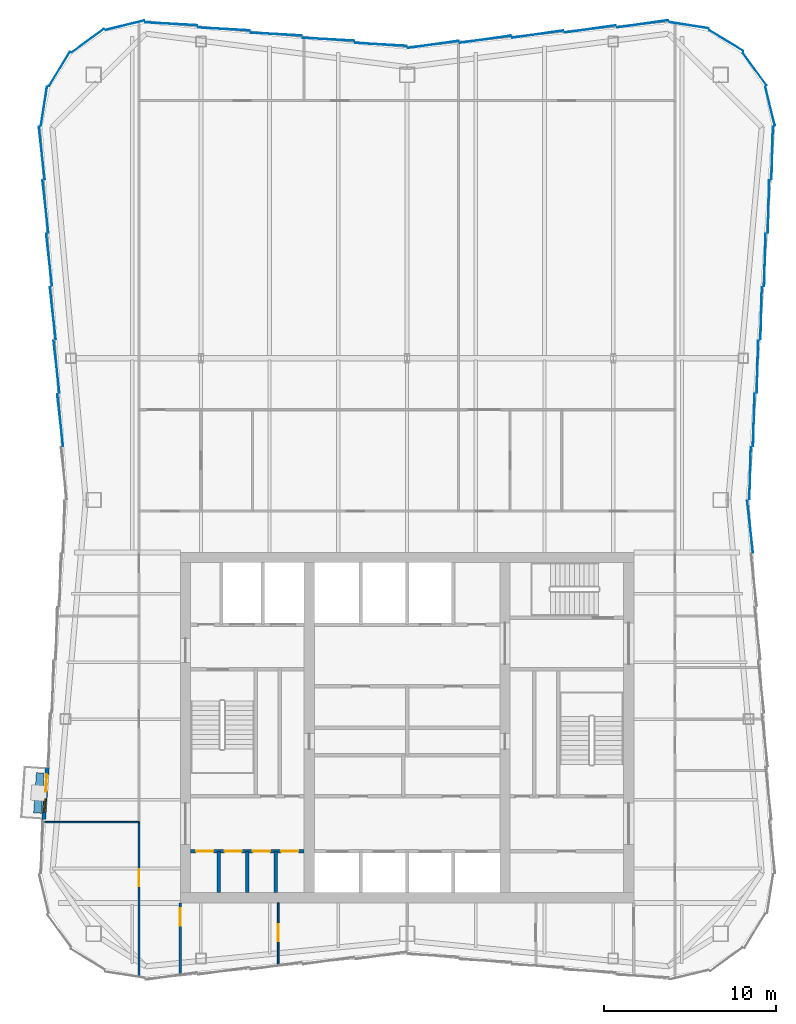
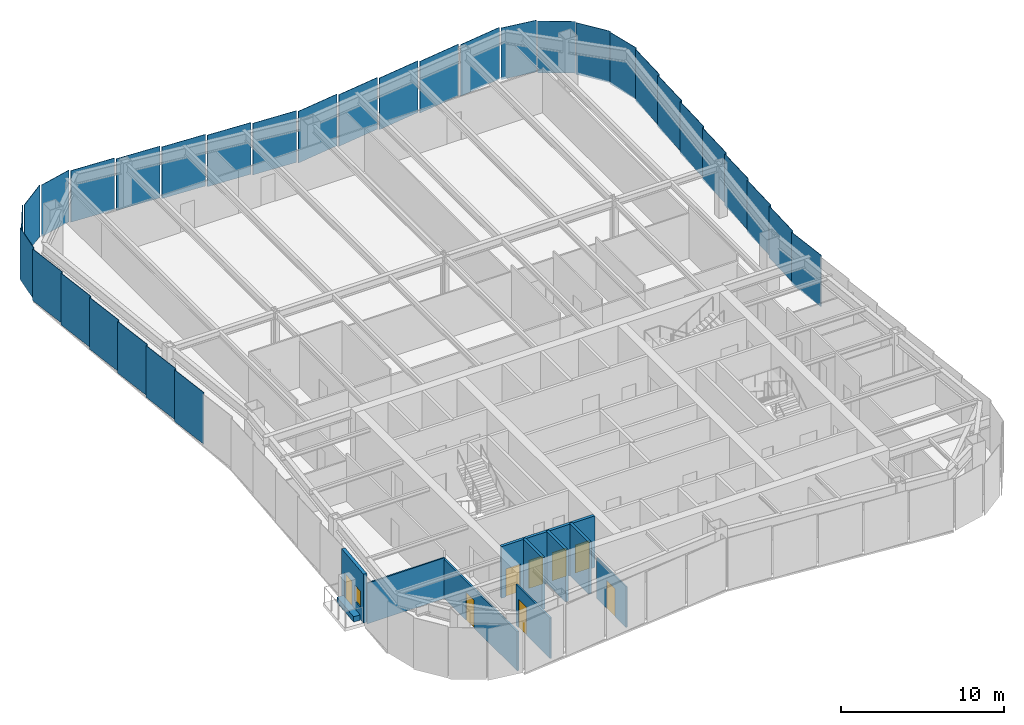
# One storey, part 5 of 10: 32 plates, 10 walls, 8 doors, 1 window, 9 openings, 5 elements without a shape of their own.
"""IFC4 building model written with IfcOpenShell, lengths in metres."""

from ifc_helpers import new_model, si_unit, direction, frame, frame_2d, origin, origin_2d, place, context, subcontext, project, spatial, rectangle, extrude, material, layer, layer_set, type_object, element, fill, aggregate, save


model = new_model("IFC4")

# Units and contexts
model_context = context("Model", 3, precision=1e-05, world=origin(), true_north=direction((0.0, 1.0)))
body_context = subcontext(model_context, "Body", "Model", "MODEL_VIEW")
ifc_project = project(units=[si_unit("LENGTHUNIT", "METRE"), si_unit("AREAUNIT", "SQUARE_METRE"), si_unit("VOLUMEUNIT", "CUBIC_METRE"), si_unit("PLANEANGLEUNIT", "RADIAN"), si_unit("MASSUNIT", "GRAM", prefix="KILO")], contexts=[model_context])

# Site, building, storey
site_placement = place(None, origin())
site = spatial("IfcSite", under=ifc_project, at=site_placement, CompositionType="ELEMENT")
building_placement = place(site_placement, origin())
building = spatial("IfcBuilding", under=site, at=building_placement, Name="Verdant Reach Tower", CompositionType="ELEMENT")
storey_placement = place(building_placement, frame((0.0, 0.0, 302.0)))
storey = spatial("IfcBuildingStorey", under=building, at=storey_placement, Name="L69", CompositionType="ELEMENT", Elevation=302.0)

# Curtain wall, plates
ifc_material_1 = material(Name="Anodised aluminium", Category="aluminium")
curtain_wall_type = type_object("IfcCurtainWallType", Name="EN-CW SYSTEM Z5", PredefinedType="NOTDEFINED", material=ifc_material_1)
curtain_wall_1_placement = place(storey_placement, origin())
curtain_wall_1 = element("IfcCurtainWall", 1, at=curtain_wall_1_placement, inside=storey, type_object=curtain_wall_type, Name="Curtain wall east, L69", PredefinedType="NOTDEFINED")
ifc_material_2 = material(Name="Tinted glass with champagne spandrel", Category="glass")
ifc_layer_1 = layer(ifc_material_2, 0.031982421875)
ifc_layer_set_1 = layer_set([ifc_layer_1], Name="EN-PANEL CHAMPAGNE")
plate_type_1 = type_object("IfcPlateType", Name="EN-PANEL CHAMPAGNE", PredefinedType="CURTAIN_PANEL", material=ifc_layer_set_1)
plate_1_placement = place(storey_placement, frame((19.971923828125, 39.700439453125, -0.219970703125), z_axis=(0.0, 0.0, 1.0), x_axis=(-0.110605344993, 0.993864406073, 0.0)))
plate_1 = element("IfcPlate", 2, at=plate_1_placement, type_object=plate_type_1, Name="Glass panel east face part 1 7.1, L69", PredefinedType="CURTAIN_PANEL", context=body_context, shape_type="SweptSolid", body=[
    extrude(rectangle(XDim=3.04052734375, YDim=0.031982421875, at=origin_2d()), origin(), (0.0, 0.0, 1.0), 3.8701171875),
])
plate_2_placement = place(storey_placement, frame((19.971923828125, 42.799560546875, -0.219970703125), z_axis=(0.0, 0.0, 1.0), x_axis=(0.027053006415, 0.999634000444, 0.0)))
plate_2 = element("IfcPlate", 3, at=plate_2_placement, type_object=plate_type_1, Name="Glass panel east face part 2 1.1, L69", PredefinedType="CURTAIN_PANEL", context=body_context, shape_type="SweptSolid", body=[
    extrude(rectangle(XDim=3.04052734375, YDim=0.031982421875, at=origin_2d()), origin(), (0.0, 0.0, 1.0), 3.8701171875),
])
plate_3_placement = place(storey_placement, frame((20.18603515625, 45.90283203125, -0.219970703125), z_axis=(0.0, 0.0, 1.0), x_axis=(0.026965318308, 0.999636369691, 0.0)))
plate_3 = element("IfcPlate", 4, at=plate_3_placement, type_object=plate_type_1, Name="Glass panel east face part 2 2.1, L69", PredefinedType="CURTAIN_PANEL", context=body_context, shape_type="SweptSolid", body=[
    extrude(rectangle(XDim=3.048583984375, YDim=0.031982421875, at=origin_2d()), origin(), (0.0, 0.0, 1.0), 3.8701171875),
])
plate_4_placement = place(storey_placement, frame((20.400390625, 49.010009765625, -0.219970703125), z_axis=(0.0, 0.0, 1.0), x_axis=(0.026965318308, 0.999636369691, 0.0)))
plate_4 = element("IfcPlate", 5, at=plate_4_placement, type_object=plate_type_1, Name="Glass panel east face part 2 3.1, L69", PredefinedType="CURTAIN_PANEL", context=body_context, shape_type="SweptSolid", body=[
    extrude(rectangle(XDim=3.048583984375, YDim=0.031982421875, at=origin_2d()), origin(), (0.0, 0.0, 1.0), 3.8701171875),
])

# Curtain wall, plate
curtain_wall_2_placement = place(storey_placement, origin())
curtain_wall_2 = element("IfcCurtainWall", 6, at=curtain_wall_2_placement, inside=storey, type_object=curtain_wall_type, Name="Curtain wall north-east corner, L69", PredefinedType="NOTDEFINED")
plate_5_placement = place(storey_placement, frame((21.132080078125, 64.173828125, -0.219970703125), z_axis=(0.0, 0.0, 1.0), x_axis=(-0.236471447122, 0.971638438256, 0.0)))
plate_5 = element("IfcPlate", 7, at=plate_5_placement, type_object=plate_type_1, Name="Glass panel north-east corner 1.1, L69", PredefinedType="CURTAIN_PANEL", context=body_context, shape_type="SweptSolid", body=[
    extrude(rectangle(XDim=2.312744140625, YDim=0.031982421875, at=origin_2d()), origin(), (0.0, 0.0, 1.0), 3.8701171875),
])

curtain_wall_3_placement = place(storey_placement, origin())
curtain_wall_3 = element("IfcCurtainWall", 8, at=curtain_wall_3_placement, inside=storey, type_object=curtain_wall_type, Name="Curtain wall north, L69", PredefinedType="NOTDEFINED")
plate_6_placement = place(storey_placement, frame((-1.519287109375, 67.7646484375, -0.219970703125), z_axis=(0.0, 0.0, 1.0), x_axis=(-0.998413420442, 0.05630845301, 0.0)))
plate_6 = element("IfcPlate", 9, at=plate_6_placement, type_object=plate_type_1, Name="Glass panel north face part 2 1.1, L69", PredefinedType="CURTAIN_PANEL", context=body_context, shape_type="SweptSolid", body=[
    extrude(rectangle(XDim=2.987548828125, YDim=0.031982421875, at=origin_2d()), origin(), (0.0, 0.0, 1.0), 3.8701171875),
])

# Curtain wall, plates
curtain_wall_4_placement = place(storey_placement, origin())
curtain_wall_4 = element("IfcCurtainWall", 10, at=curtain_wall_4_placement, inside=storey, type_object=curtain_wall_type, Name="Curtain wall west, L69", PredefinedType="NOTDEFINED")
plate_7_placement = place(storey_placement, frame((-20.61474609375, 52.1171875, -0.219970703125), z_axis=(0.0, 0.0, 1.0), x_axis=(0.110518162674, -0.993874104562, 0.0)))
plate_7 = element("IfcPlate", 11, at=plate_7_placement, type_object=plate_type_1, Name="Glass panel west face part 1 4.1, L69", PredefinedType="CURTAIN_PANEL", context=body_context, shape_type="SweptSolid", body=[
    extrude(rectangle(XDim=3.048583984375, YDim=0.031982421875, at=origin_2d()), origin(), (0.0, 0.0, 1.0), 3.8701171875),
])
plate_8_placement = place(storey_placement, frame((-20.400390625, 49.010009765625, -0.219970703125), z_axis=(0.0, 0.0, 1.0), x_axis=(0.110518162674, -0.993874104562, 0.0)))
plate_8 = element("IfcPlate", 12, at=plate_8_placement, type_object=plate_type_1, Name="Glass panel west face part 1 5.1, L69", PredefinedType="CURTAIN_PANEL", context=body_context, shape_type="SweptSolid", body=[
    extrude(rectangle(XDim=3.048583984375, YDim=0.031982421875, at=origin_2d()), origin(), (0.0, 0.0, 1.0), 3.8701171875),
])

# Plate
ifc_material_3 = material(Name="Tinted glass with copper spandrel", Category="glass")
ifc_layer_2 = layer(ifc_material_3, 0.031982421875)
ifc_layer_set_2 = layer_set([ifc_layer_2], Name="EN-PANEL COPPER")
plate_type_2 = type_object("IfcPlateType", Name="EN-PANEL COPPER", PredefinedType="CURTAIN_PANEL", material=ifc_layer_set_2)
plate_9_placement = place(storey_placement, frame((20.61474609375, 52.1171875, -0.219970703125), z_axis=(0.0, 0.0, 1.0), x_axis=(0.026965318308, 0.999636369691, 0.0)))
plate_9 = element("IfcPlate", 13, at=plate_9_placement, type_object=plate_type_2, Name="Glass panel east face part 2 4.1, L69", PredefinedType="CURTAIN_PANEL", context=body_context, shape_type="SweptSolid", body=[
    extrude(rectangle(XDim=3.048583984375, YDim=0.031982421875, at=origin_2d()), origin(), (0.0, 0.0, 1.0), 3.8701171875),
])

plate_10_placement = place(storey_placement, frame((20.8291015625, 55.22412109375, -0.219970703125), z_axis=(0.0, 0.0, 1.0), x_axis=(0.026965318308, 0.999636369691, 0.0)))
plate_10 = element("IfcPlate", 14, at=plate_10_placement, type_object=plate_type_2, Name="Glass panel east face part 2 5.1, L69", PredefinedType="CURTAIN_PANEL", context=body_context, shape_type="SweptSolid", body=[
    extrude(rectangle(XDim=3.048583984375, YDim=0.031982421875, at=origin_2d()), origin(), (0.0, 0.0, 1.0), 3.8701171875),
])

plate_11_placement = place(storey_placement, frame((20.23681640625, 66.33203125, -0.219970703125), z_axis=(0.0, 0.0, 1.0), x_axis=(-0.58992672698, 0.807456783236, 0.0)))
plate_11 = element("IfcPlate", 15, at=plate_11_placement, type_object=plate_type_2, Name="Glass panel north-east corner 2.1, L69", PredefinedType="CURTAIN_PANEL", context=body_context, shape_type="SweptSolid", body=[
    extrude(rectangle(XDim=2.320068359375, YDim=0.031982421875, at=origin_2d()), origin(), (0.0, 0.0, 1.0), 3.8701171875),
])

plate_12_placement = place(storey_placement, frame((18.58203125, 67.98681640625, -0.219970703125), z_axis=(0.0, 0.0, 1.0), x_axis=(-0.853988714885, 0.520291528711, 0.0)))
plate_12 = element("IfcPlate", 16, at=plate_12_placement, type_object=plate_type_2, Name="Glass panel north-east corner 3.1, L69", PredefinedType="CURTAIN_PANEL", context=body_context, shape_type="SweptSolid", body=[
    extrude(rectangle(XDim=2.320068359375, YDim=0.031982421875, at=origin_2d()), origin(), (0.0, 0.0, 1.0), 3.8701171875),
])

plate_13_placement = place(storey_placement, frame((16.4228515625, 68.88232421875, -0.219970703125), z_axis=(0.0, 0.0, 1.0), x_axis=(-0.988033409454, 0.154240013621, 0.0)))
plate_13 = element("IfcPlate", 17, at=plate_13_placement, type_object=plate_type_2, Name="Glass panel north-east corner 4.1, L69", PredefinedType="CURTAIN_PANEL", context=body_context, shape_type="SweptSolid", body=[
    extrude(rectangle(XDim=2.314453125, YDim=0.031982421875, at=origin_2d()), origin(), (0.0, 0.0, 1.0), 3.8701171875),
])

aggregate(curtain_wall_2, [plate_5, plate_11, plate_12, plate_13])

plate_14_placement = place(storey_placement, frame((13.72216796875, 68.964599609375, -0.219970703125), z_axis=(0.0, 0.0, 1.0), x_axis=(-0.990281521639, -0.139077345032, 0.0)))
plate_14 = element("IfcPlate", 18, at=plate_14_placement, type_object=plate_type_2, Name="Glass panel north face part 1 1.1, L69", PredefinedType="CURTAIN_PANEL", context=body_context, shape_type="SweptSolid", body=[
    extrude(rectangle(XDim=3.015625, YDim=0.031982421875, at=origin_2d()), origin(), (0.0, 0.0, 1.0), 3.8701171875),
])

plate_15_placement = place(storey_placement, frame((10.663818359375, 68.66455078125, -0.219970703125), z_axis=(0.0, 0.0, 1.0), x_axis=(-0.990225318365, -0.139476947446, 0.0)))
plate_15 = element("IfcPlate", 19, at=plate_15_placement, type_object=plate_type_2, Name="Glass panel north face part 1 2.1, L69", PredefinedType="CURTAIN_PANEL", context=body_context, shape_type="SweptSolid", body=[
    extrude(rectangle(XDim=2.998779296875, YDim=0.031982421875, at=origin_2d()), origin(), (0.0, 0.0, 1.0), 3.8701171875),
])

plate_16_placement = place(storey_placement, frame((-4.563720703125, 68.064453125, -0.219970703125), z_axis=(0.0, 0.0, 1.0), x_axis=(-0.998423588956, 0.056127863106, 0.0)))
plate_16 = element("IfcPlate", 20, at=plate_16_placement, type_object=plate_type_2, Name="Glass panel north face part 2 2.1, L69", PredefinedType="CURTAIN_PANEL", context=body_context, shape_type="SweptSolid", body=[
    extrude(rectangle(XDim=2.998779296875, YDim=0.031982421875, at=origin_2d()), origin(), (0.0, 0.0, 1.0), 3.8701171875),
])

plate_17_placement = place(storey_placement, frame((-7.61376953125, 68.364501953125, -0.219970703125), z_axis=(0.0, 0.0, 1.0), x_axis=(-0.998423588956, 0.056127863106, 0.0)))
plate_17 = element("IfcPlate", 21, at=plate_17_placement, type_object=plate_type_2, Name="Glass panel north face part 2 3.1, L69", PredefinedType="CURTAIN_PANEL", context=body_context, shape_type="SweptSolid", body=[
    extrude(rectangle(XDim=2.998779296875, YDim=0.031982421875, at=origin_2d()), origin(), (0.0, 0.0, 1.0), 3.8701171875),
])

plate_18_placement = place(storey_placement, frame((-10.663818359375, 68.66455078125, -0.219970703125), z_axis=(0.0, 0.0, 1.0), x_axis=(-0.998423588956, 0.056127863106, 0.0)))
plate_18 = element("IfcPlate", 22, at=plate_18_placement, type_object=plate_type_2, Name="Glass panel north face part 2 4.1, L69", PredefinedType="CURTAIN_PANEL", context=body_context, shape_type="SweptSolid", body=[
    extrude(rectangle(XDim=2.998779296875, YDim=0.031982421875, at=origin_2d()), origin(), (0.0, 0.0, 1.0), 3.8701171875),
])

# Curtain wall, plates
curtain_wall_5_placement = place(storey_placement, origin())
curtain_wall_5 = element("IfcCurtainWall", 23, at=curtain_wall_5_placement, inside=storey, type_object=curtain_wall_type, Name="Curtain wall north-west corner, L69", PredefinedType="NOTDEFINED")
plate_19_placement = place(storey_placement, frame((-16.4228515625, 68.88232421875, -0.219970703125), z_axis=(0.0, 0.0, 1.0), x_axis=(-0.971661765526, -0.236375577028, 0.0)))
plate_19 = element("IfcPlate", 24, at=plate_19_placement, type_object=plate_type_2, Name="Glass panel north-west corner 1.1, L69", PredefinedType="CURTAIN_PANEL", context=body_context, shape_type="SweptSolid", body=[
    extrude(rectangle(XDim=2.314453125, YDim=0.031982421875, at=origin_2d()), origin(), (0.0, 0.0, 1.0), 3.8701171875),
])
plate_20_placement = place(storey_placement, frame((-18.58203125, 67.98681640625, -0.219970703125), z_axis=(0.0, 0.0, 1.0), x_axis=(-0.807456783236, -0.58992672698, 0.0)))
plate_20 = element("IfcPlate", 25, at=plate_20_placement, type_object=plate_type_2, Name="Glass panel north-west corner 2.1, L69", PredefinedType="CURTAIN_PANEL", context=body_context, shape_type="SweptSolid", body=[
    extrude(rectangle(XDim=2.320068359375, YDim=0.031982421875, at=origin_2d()), origin(), (0.0, 0.0, 1.0), 3.8701171875),
])

# Plate
plate_21_placement = place(storey_placement, frame((-20.18603515625, 45.90283203125, -0.219970703125), z_axis=(0.0, 0.0, 1.0), x_axis=(0.110518162674, -0.993874104562, 0.0)))
plate_21 = element("IfcPlate", 26, at=plate_21_placement, type_object=plate_type_2, Name="Glass panel west face part 1 6.1, L69", PredefinedType="CURTAIN_PANEL", context=body_context, shape_type="SweptSolid", body=[
    extrude(rectangle(XDim=3.048583984375, YDim=0.031982421875, at=origin_2d()), origin(), (0.0, 0.0, 1.0), 3.8701171875),
])

ifc_material_4 = material(Name="Tinted glass with dark bronze spandrel", Category="glass")
ifc_layer_3 = layer(ifc_material_4, 0.031982421875)
ifc_layer_set_3 = layer_set([ifc_layer_3], Name="EN-PANEL DARK")
plate_type_3 = type_object("IfcPlateType", Name="EN-PANEL DARK", PredefinedType="CURTAIN_PANEL", material=ifc_layer_set_3)
plate_22_placement = place(storey_placement, frame((21.043212890625, 58.331298828125, -0.219970703125), z_axis=(0.0, 0.0, 1.0), x_axis=(0.026965318308, 0.999636369691, 0.0)))
plate_22 = element("IfcPlate", 27, at=plate_22_placement, type_object=plate_type_3, Name="Glass panel east face part 2 6.1, L69", PredefinedType="CURTAIN_PANEL", context=body_context, shape_type="SweptSolid", body=[
    extrude(rectangle(XDim=3.048583984375, YDim=0.031982421875, at=origin_2d()), origin(), (0.0, 0.0, 1.0), 3.8701171875),
])

plate_23_placement = place(storey_placement, frame((21.257568359375, 61.446044921875, -0.219970703125), z_axis=(0.0, 0.0, 1.0), x_axis=(0.026642881595, 0.999645015423, 0.0)))
plate_23 = element("IfcPlate", 28, at=plate_23_placement, type_object=plate_type_3, Name="Glass panel east face part 2 7.1, L69", PredefinedType="CURTAIN_PANEL", context=body_context, shape_type="SweptSolid", body=[
    extrude(rectangle(XDim=3.063720703125, YDim=0.031982421875, at=origin_2d()), origin(), (0.0, 0.0, 1.0), 3.8701171875),
])

aggregate(curtain_wall_1, [plate_1, plate_2, plate_3, plate_4, plate_9, plate_10, plate_22, plate_23])

plate_24_placement = place(storey_placement, frame((7.61376953125, 68.364501953125, -0.219970703125), z_axis=(0.0, 0.0, 1.0), x_axis=(-0.990225318365, -0.139476947446, 0.0)))
plate_24 = element("IfcPlate", 29, at=plate_24_placement, type_object=plate_type_3, Name="Glass panel north face part 1 3.1, L69", PredefinedType="CURTAIN_PANEL", context=body_context, shape_type="SweptSolid", body=[
    extrude(rectangle(XDim=2.998779296875, YDim=0.031982421875, at=origin_2d()), origin(), (0.0, 0.0, 1.0), 3.8701171875),
])

plate_25_placement = place(storey_placement, frame((4.563720703125, 68.064453125, -0.219970703125), z_axis=(0.0, 0.0, 1.0), x_axis=(-0.990225318365, -0.139476947446, 0.0)))
plate_25 = element("IfcPlate", 30, at=plate_25_placement, type_object=plate_type_3, Name="Glass panel north face part 1 4.1, L69", PredefinedType="CURTAIN_PANEL", context=body_context, shape_type="SweptSolid", body=[
    extrude(rectangle(XDim=2.998779296875, YDim=0.031982421875, at=origin_2d()), origin(), (0.0, 0.0, 1.0), 3.8701171875),
])

plate_26_placement = place(storey_placement, frame((1.519287109375, 67.7646484375, -0.219970703125), z_axis=(0.0, 0.0, 1.0), x_axis=(-0.990200074141, -0.139656053116, 0.0)))
plate_26 = element("IfcPlate", 31, at=plate_26_placement, type_object=plate_type_3, Name="Glass panel north face part 1 5.1, L69", PredefinedType="CURTAIN_PANEL", context=body_context, shape_type="SweptSolid", body=[
    extrude(rectangle(XDim=2.987548828125, YDim=0.031982421875, at=origin_2d()), origin(), (0.0, 0.0, 1.0), 3.8701171875),
])

plate_27_placement = place(storey_placement, frame((-13.72216796875, 68.964599609375, -0.219970703125), z_axis=(0.0, 0.0, 1.0), x_axis=(-0.998446157248, 0.055724959185, 0.0)))
plate_27 = element("IfcPlate", 32, at=plate_27_placement, type_object=plate_type_3, Name="Glass panel north face part 2 5.1, L69", PredefinedType="CURTAIN_PANEL", context=body_context, shape_type="SweptSolid", body=[
    extrude(rectangle(XDim=3.015625, YDim=0.031982421875, at=origin_2d()), origin(), (0.0, 0.0, 1.0), 3.8701171875),
])

aggregate(curtain_wall_3, [plate_14, plate_15, plate_24, plate_25, plate_26, plate_6, plate_16, plate_17, plate_18, plate_27])

plate_28_placement = place(storey_placement, frame((-20.23681640625, 66.33203125, -0.219970703125), z_axis=(0.0, 0.0, 1.0), x_axis=(-0.520291528711, -0.853988714885, 0.0)))
plate_28 = element("IfcPlate", 33, at=plate_28_placement, type_object=plate_type_3, Name="Glass panel north-west corner 3.1, L69", PredefinedType="CURTAIN_PANEL", context=body_context, shape_type="SweptSolid", body=[
    extrude(rectangle(XDim=2.320068359375, YDim=0.031982421875, at=origin_2d()), origin(), (0.0, 0.0, 1.0), 3.8701171875),
])

plate_29_placement = place(storey_placement, frame((-21.132080078125, 64.173828125, -0.219970703125), z_axis=(0.0, 0.0, 1.0), x_axis=(-0.154337499461, -0.988018186199, 0.0)))
plate_29 = element("IfcPlate", 34, at=plate_29_placement, type_object=plate_type_3, Name="Glass panel north-west corner 4.1, L69", PredefinedType="CURTAIN_PANEL", context=body_context, shape_type="SweptSolid", body=[
    extrude(rectangle(XDim=2.312744140625, YDim=0.031982421875, at=origin_2d()), origin(), (0.0, 0.0, 1.0), 3.8701171875),
])

aggregate(curtain_wall_5, [plate_19, plate_20, plate_28, plate_29])

plate_30_placement = place(storey_placement, frame((-21.257568359375, 61.446044921875, -0.219970703125), z_axis=(0.0, 0.0, 1.0), x_axis=(0.110197580247, -0.993909700782, 0.0)))
plate_30 = element("IfcPlate", 35, at=plate_30_placement, type_object=plate_type_3, Name="Glass panel west face part 1 1.1, L69", PredefinedType="CURTAIN_PANEL", context=body_context, shape_type="SweptSolid", body=[
    extrude(rectangle(XDim=3.063720703125, YDim=0.031982421875, at=origin_2d()), origin(), (0.0, 0.0, 1.0), 3.8701171875),
])

plate_31_placement = place(storey_placement, frame((-21.043212890625, 58.331298828125, -0.219970703125), z_axis=(0.0, 0.0, 1.0), x_axis=(0.110518162674, -0.993874104562, 0.0)))
plate_31 = element("IfcPlate", 36, at=plate_31_placement, type_object=plate_type_3, Name="Glass panel west face part 1 2.1, L69", PredefinedType="CURTAIN_PANEL", context=body_context, shape_type="SweptSolid", body=[
    extrude(rectangle(XDim=3.048583984375, YDim=0.031982421875, at=origin_2d()), origin(), (0.0, 0.0, 1.0), 3.8701171875),
])

plate_32_placement = place(storey_placement, frame((-20.8291015625, 55.22412109375, -0.219970703125), z_axis=(0.0, 0.0, 1.0), x_axis=(0.110518162674, -0.993874104562, 0.0)))
plate_32 = element("IfcPlate", 37, at=plate_32_placement, type_object=plate_type_3, Name="Glass panel west face part 1 3.1, L69", PredefinedType="CURTAIN_PANEL", context=body_context, shape_type="SweptSolid", body=[
    extrude(rectangle(XDim=3.048583984375, YDim=0.031982421875, at=origin_2d()), origin(), (0.0, 0.0, 1.0), 3.8701171875),
])

aggregate(curtain_wall_4, [plate_30, plate_31, plate_32, plate_7, plate_8, plate_21])

# Wall, openings, doors
ifc_material_5 = material(Name="Gypsum board on steel studs", Category="steel")
ifc_layer_4 = layer(ifc_material_5, 0.199951171875)
ifc_layer_set_4 = layer_set([ifc_layer_4], Name="CO-WALL-ROOM")
wall_type_1 = type_object("IfcWallType", Name="CO-WALL-ROOM", PredefinedType="PARTITIONING", material=ifc_layer_set_4)
wall_1_placement = place(storey_placement, frame((-12.60009765625, 20.800048828125, 0.0), z_axis=(0.0, 0.0, 1.0), x_axis=(1.0, 0.0, 0.0)))
wall_1 = element("IfcWall", 38, at=wall_1_placement, inside=storey, type_object=wall_type_1, Name="Core partition, L69", PredefinedType="PARTITIONING", context=body_context, shape_type="SweptSolid", body=[
    extrude(rectangle(XDim=6.60009765625, YDim=0.199951171875, at=frame_2d((3.300048828125, 0.0))), origin(), (0.0, 0.0, 1.0), 3.8701171875),
])
opening_1_placement = place(wall_1_placement, frame((0.324951171875, 0.0, 0.0)))
opening_1 = element("IfcOpeningElement", 39, at=opening_1_placement, cuts=wall_1, Name="Opening CD", PredefinedType="OPENING", context=body_context, shape_type="SweptSolid", body=[
    extrude(rectangle(XDim=1.0, YDim=2.10009765625, at=frame_2d((0.5, 1.050048828125))), frame((0.0, 0.10986328125, 0.0), z_axis=(0.0, -1.0, 0.0), x_axis=(1.0, 0.0, 0.0)), (0.0, 0.0, 1.0), 0.219970703125),
])
opening_2_placement = place(wall_1_placement, frame((1.97509765625, 0.0, 0.0)))
opening_2 = element("IfcOpeningElement", 40, at=opening_2_placement, cuts=wall_1, Name="Opening CD", PredefinedType="OPENING", context=body_context, shape_type="SweptSolid", body=[
    extrude(rectangle(XDim=1.0, YDim=2.10009765625, at=frame_2d((0.5, 1.050048828125))), frame((0.0, 0.10986328125, 0.0), z_axis=(0.0, -1.0, 0.0), x_axis=(1.0, 0.0, 0.0)), (0.0, 0.0, 1.0), 0.219970703125),
])
opening_3_placement = place(wall_1_placement, frame((3.625, 0.0, 0.0)))
opening_3 = element("IfcOpeningElement", 41, at=opening_3_placement, cuts=wall_1, Name="Opening CD", PredefinedType="OPENING", context=body_context, shape_type="SweptSolid", body=[
    extrude(rectangle(XDim=1.0, YDim=2.10009765625, at=frame_2d((0.5, 1.050048828125))), frame((0.0, 0.10986328125, 0.0), z_axis=(0.0, -1.0, 0.0), x_axis=(1.0, 0.0, 0.0)), (0.0, 0.0, 1.0), 0.219970703125),
])
opening_4_placement = place(wall_1_placement, frame((5.27490234375, 0.0, 0.0)))
opening_4 = element("IfcOpeningElement", 42, at=opening_4_placement, cuts=wall_1, Name="Opening CD", PredefinedType="OPENING", context=body_context, shape_type="SweptSolid", body=[
    extrude(rectangle(XDim=1.0, YDim=2.10009765625, at=frame_2d((0.5, 1.050048828125))), frame((0.0, 0.10986328125, 0.0), z_axis=(0.0, -1.0, 0.0), x_axis=(1.0, 0.0, 0.0)), (0.0, 0.0, 1.0), 0.219970703125),
])
ifc_material_6 = material(Name="Timber", Category="wood")
door_type_1 = type_object("IfcDoorType", Name="CO-DOOR-ROOM", OperationType="NOTDEFINED", PredefinedType="DOOR", material=ifc_material_6)
door_1_placement = place(opening_1_placement, origin())
door_1 = element("IfcDoor", 43, at=door_1_placement, inside=storey, type_object=door_type_1, Name="Core room door, L69", OperationType="SINGLE_SWING_RIGHT", OverallHeight=2.10009765625, OverallWidth=1.0, PredefinedType="DOOR", context=body_context, shape_type="SweptSolid", body=[
    extrude(rectangle(XDim=1.0, YDim=2.10009765625, at=frame_2d((0.5, 1.050048828125))), frame((0.0, 0.02490234375, 0.0), z_axis=(0.0, -1.0, 0.0), x_axis=(1.0, 0.0, 0.0)), (0.0, 0.0, 1.0), 0.050048828125),
])
fill(opening_1, door_1)
door_2_placement = place(opening_2_placement, origin())
door_2 = element("IfcDoor", 44, at=door_2_placement, inside=storey, type_object=door_type_1, Name="Core room door, L69", OperationType="SINGLE_SWING_RIGHT", OverallHeight=2.10009765625, OverallWidth=1.0, PredefinedType="DOOR", context=body_context, shape_type="SweptSolid", body=[
    extrude(rectangle(XDim=1.0, YDim=2.10009765625, at=frame_2d((0.5, 1.050048828125))), frame((0.0, 0.02490234375, 0.0), z_axis=(0.0, -1.0, 0.0), x_axis=(1.0, 0.0, 0.0)), (0.0, 0.0, 1.0), 0.050048828125),
])
fill(opening_2, door_2)
door_3_placement = place(opening_3_placement, origin())
door_3 = element("IfcDoor", 45, at=door_3_placement, inside=storey, type_object=door_type_1, Name="Core room door, L69", OperationType="SINGLE_SWING_LEFT", OverallHeight=2.10009765625, OverallWidth=1.0, PredefinedType="DOOR", context=body_context, shape_type="SweptSolid", body=[
    extrude(rectangle(XDim=1.0, YDim=2.10009765625, at=frame_2d((0.5, 1.050048828125))), frame((0.0, 0.02490234375, 0.0), z_axis=(0.0, -1.0, 0.0), x_axis=(1.0, 0.0, 0.0)), (0.0, 0.0, 1.0), 0.050048828125),
])
fill(opening_3, door_3)
door_4_placement = place(opening_4_placement, origin())
door_4 = element("IfcDoor", 46, at=door_4_placement, inside=storey, type_object=door_type_1, Name="Core room door, L69", OperationType="SINGLE_SWING_LEFT", OverallHeight=2.10009765625, OverallWidth=1.0, PredefinedType="DOOR", context=body_context, shape_type="SweptSolid", body=[
    extrude(rectangle(XDim=1.0, YDim=2.10009765625, at=frame_2d((0.5, 1.050048828125))), frame((0.0, 0.02490234375, 0.0), z_axis=(0.0, -1.0, 0.0), x_axis=(1.0, 0.0, 0.0)), (0.0, 0.0, 1.0), 0.050048828125),
])
fill(opening_4, door_4)

# Walls
for number, where, z_axis, x_axis, name in (
    (47, (-10.949951171875, 18.39990234375, 0.0), (0.0, 0.0, 1.0), (0.0, 1.0, 0.0), "Core partition, L69"),
    (48, (-9.300048828125, 18.39990234375, 0.0), (0.0, 0.0, 1.0), (0.0, 1.0, 0.0), "Core partition, L69"),
    (49, (-7.64990234375, 18.39990234375, 0.0), (0.0, 0.0, 1.0), (0.0, 1.0, 0.0), "Core partition, L69"),
):
    element("IfcWall", number, at=place(storey_placement, frame(where, z_axis=z_axis, x_axis=x_axis)), inside=storey, type_object=wall_type_1, Name=name, PredefinedType="PARTITIONING", context=body_context, shape_type="SweptSolid", body=[
        extrude(rectangle(XDim=2.400146484375, YDim=0.199951171875, at=frame_2d((1.2001953125, 0.0))), origin(), (0.0, 0.0, 1.0), 3.8701171875),
    ])

# Wall, openings, door, window
ifc_material_7 = material(Name="Insulated bronze aluminium panel wall", Category="aluminium")
ifc_layer_5 = layer(ifc_material_7, 0.219970703125)
ifc_layer_set_5 = layer_set([ifc_layer_5], Name="EN-INFILL WALL")
wall_type_2 = type_object("IfcWallType", Name="EN-INFILL WALL", PredefinedType="SOLIDWALL", material=ifc_layer_set_5)
wall_2_placement = place(storey_placement, frame((-20.9384765625, 25.687255859375, 0.0), z_axis=(0.0, 0.0, 1.0), x_axis=(-0.068802091615, -0.997630328423, 0.0)))
wall_2 = element("IfcWall", 50, at=wall_2_placement, inside=storey, type_object=wall_type_2, Name="External infill wall, balcony bay 1, L69", PredefinedType="SOLIDWALL", context=body_context, shape_type="SweptSolid", body=[
    extrude(rectangle(XDim=3.044677734375, YDim=0.22998046875, at=frame_2d((1.5224609375, 0.0))), origin(), (0.0, 0.0, 1.0), 3.64990234375),
])
opening_5_placement = place(wall_2_placement, frame((0.414794921875, 0.0, 0.0)))
opening_5 = element("IfcOpeningElement", 51, at=opening_5_placement, cuts=wall_2, Name="Opening BD1", PredefinedType="OPENING", context=body_context, shape_type="SweptSolid", body=[
    extrude(rectangle(XDim=1.0, YDim=2.10009765625, at=frame_2d((0.5, 1.050048828125))), frame((0.0, 0.125, 0.0), z_axis=(0.0, -1.0, 0.0), x_axis=(1.0, 0.0, 0.0)), (0.0, 0.0, 1.0), 0.25),
])
opening_6_placement = place(wall_2_placement, frame((1.82958984375, 0.0, 0.89990234375)))
opening_6 = element("IfcOpeningElement", 52, at=opening_6_placement, cuts=wall_2, Name="Opening BW1", PredefinedType="OPENING", context=body_context, shape_type="SweptSolid", body=[
    extrude(rectangle(XDim=0.800048828125, YDim=1.199951171875, at=frame_2d((0.39990234375, 0.60009765625))), frame((0.0, 0.125, 0.0), z_axis=(0.0, -1.0, 0.0), x_axis=(1.0, 0.0, 0.0)), (0.0, 0.0, 1.0), 0.25),
])
ifc_material_8 = material(Name="Aluminium framed glazed door", Category="aluminium")
door_type_2 = type_object("IfcDoorType", Name="EN-DOOR BALCONY", OperationType="NOTDEFINED", PredefinedType="DOOR", material=ifc_material_8)
door_5_placement = place(opening_5_placement, origin())
door_5 = element("IfcDoor", 53, at=door_5_placement, inside=storey, type_object=door_type_2, Name="Balcony door 1, L69", OperationType="SINGLE_SWING_LEFT", OverallHeight=2.10009765625, OverallWidth=1.0, PredefinedType="DOOR", context=body_context, shape_type="SweptSolid", body=[
    extrude(rectangle(XDim=1.0, YDim=2.10009765625, at=frame_2d((0.5, 1.050048828125))), frame((0.0, 0.02490234375, 0.0), z_axis=(0.0, -1.0, 0.0), x_axis=(1.0, 0.0, 0.0)), (0.0, 0.0, 1.0), 0.050048828125),
])
fill(opening_5, door_5)
ifc_material_9 = material(Name="Aluminium framed glazing", Category="aluminium")
window_type = type_object("IfcWindowType", Name="EN-WINDOW BALCONY", PartitioningType="SINGLE_PANEL", PredefinedType="WINDOW", material=ifc_material_9)
window_placement = place(opening_6_placement, origin())
window = element("IfcWindow", 54, at=window_placement, inside=storey, type_object=window_type, Name="Balcony window 1, L69", OverallHeight=1.199951171875, OverallWidth=0.800048828125, PartitioningType="SINGLE_PANEL", PredefinedType="WINDOW", context=body_context, shape_type="SweptSolid", body=[
    extrude(rectangle(XDim=0.800048828125, YDim=1.199951171875, at=frame_2d((0.39990234375, 0.60009765625))), frame((0.0, 0.030029296875, 0.0), z_axis=(0.0, -1.0, 0.0), x_axis=(1.0, 0.0, 0.0)), (0.0, 0.0, 1.0), 0.06005859375),
])
fill(opening_6, window)

# Walls
ifc_material_10 = material(Name="Precast concrete C30/37", Category="concrete")
ifc_layer_6 = layer(ifc_material_10, 0.449951171875)
ifc_layer_set_6 = layer_set([ifc_layer_6], Name="EN-PLANTER")
wall_type_3 = type_object("IfcWallType", Name="EN-PLANTER", PredefinedType="USERDEFINED", material=ifc_layer_set_6)
wall_3_placement = place(storey_placement, frame((-21.351806640625, 25.364990234375, 0.0), z_axis=(0.0, 0.0, 1.0), x_axis=(-0.068723472833, -0.997635747295, 0.0)))
element("IfcWall", 55, at=wall_3_placement, inside=storey, type_object=wall_type_3, Name="Balcony planter 1, L69", ObjectType="PLANTER", PredefinedType="USERDEFINED", context=body_context, shape_type="SweptSolid", body=[
    extrude(rectangle(XDim=2.3447265625, YDim=0.449951171875, at=frame_2d((1.17236328125, 0.0))), origin(), (0.0, 0.0, 1.0), 0.39990234375),
])
ifc_layer_7 = layer(ifc_material_5, 0.10009765625)
ifc_layer_set_7 = layer_set([ifc_layer_7], Name="FL-W1 Partition 100")
wall_type_4 = type_object("IfcWallType", Name="FL-W1 Partition 100", PredefinedType="PARTITIONING", material=ifc_layer_set_7)
wall_4_placement = place(storey_placement, frame((-15.60009765625, 22.5, 0.0), z_axis=(0.0, 0.0, 1.0), x_axis=(-1.0, 0.0, 0.0)))
element("IfcWall", 56, at=wall_4_placement, inside=storey, type_object=wall_type_4, Name="Partition 69.17", PredefinedType="PARTITIONING", context=body_context, shape_type="SweptSolid", body=[
    extrude(rectangle(XDim=5.52294921875, YDim=0.10009765625, at=frame_2d((2.761474609375, 0.0))), origin(), (0.0, 0.0, 1.0), 3.0400390625),
])

# Wall, opening, door
wall_5_placement = place(storey_placement, frame((-7.5, 17.800048828125, 0.0), z_axis=(0.0, 0.0, 1.0), x_axis=(0.0, -1.0, 0.0)))
wall_5 = element("IfcWall", 57, at=wall_5_placement, inside=storey, type_object=wall_type_4, Name="Partition 69.29", PredefinedType="PARTITIONING", context=body_context, shape_type="SweptSolid", body=[
    extrude(rectangle(XDim=3.61767578125, YDim=0.10009765625, at=frame_2d((1.808837890625, 0.0))), origin(), (0.0, 0.0, 1.0), 3.0400390625),
])
opening_7_placement = place(wall_5_placement, frame((1.24365234375, 0.0, 0.0)))
opening_7 = element("IfcOpeningElement", 58, at=opening_7_placement, cuts=wall_5, Name="Opening D3", PredefinedType="OPENING", context=body_context, shape_type="SweptSolid", body=[
    extrude(rectangle(XDim=1.0, YDim=2.10009765625, at=frame_2d((0.5, 1.050048828125))), frame((0.0, 0.06005859375, 0.0), z_axis=(0.0, -1.0, 0.0), x_axis=(1.0, 0.0, 0.0)), (0.0, 0.0, 1.0), 0.1201171875),
])
ifc_material_11 = material(Name="Painted timber door leaf", Category="wood")
door_type_3 = type_object("IfcDoorType", Name="FL-D3 Door 1000x2100", OperationType="NOTDEFINED", PredefinedType="DOOR", material=ifc_material_11)
door_6_placement = place(opening_7_placement, origin())
door_6 = element("IfcDoor", 59, at=door_6_placement, inside=storey, type_object=door_type_3, Name="Door 69-015", OperationType="SINGLE_SWING_LEFT", OverallHeight=2.10009765625, OverallWidth=1.0, PredefinedType="DOOR", context=body_context, shape_type="SweptSolid", body=[
    extrude(rectangle(XDim=1.0, YDim=2.10009765625, at=frame_2d((0.5, 1.050048828125))), frame((0.0, 0.02490234375, 0.0), z_axis=(0.0, -1.0, 0.0), x_axis=(1.0, 0.0, 0.0)), (0.0, 0.0, 1.0), 0.050048828125),
])
fill(opening_7, door_6)

ifc_material_12 = material(Name="Gypsum board on steel studs, fire rated", Category="steel")
ifc_layer_8 = layer(ifc_material_12, 0.125)
ifc_layer_set_8 = layer_set([ifc_layer_8], Name="FL-W2 Corridor wall 125")
wall_type_5 = type_object("IfcWallType", Name="FL-W2 Corridor wall 125", PredefinedType="PARTITIONING", material=ifc_layer_set_8)
wall_6_placement = place(storey_placement, frame((-15.60009765625, 13.489501953125, 0.0), z_axis=(0.0, 0.0, 1.0), x_axis=(0.0, 1.0, 0.0)))
wall_6 = element("IfcWall", 60, at=wall_6_placement, inside=storey, type_object=wall_type_5, Name="Partition 69.01", PredefinedType="PARTITIONING", context=body_context, shape_type="SweptSolid", body=[
    extrude(rectangle(XDim=9.010498046875, YDim=0.125, at=frame_2d((4.50537109375, 0.0))), origin(), (0.0, 0.0, 1.0), 2.929931640625),
])
opening_8_placement = place(wall_6_placement, frame((5.270751953125, 0.0, 0.0)))
opening_8 = element("IfcOpeningElement", 61, at=opening_8_placement, cuts=wall_6, Name="Opening D2", PredefinedType="OPENING", context=body_context, shape_type="SweptSolid", body=[
    extrude(rectangle(XDim=1.0, YDim=2.10009765625, at=frame_2d((0.5, 1.050048828125))), frame((0.0, 0.072509765625, 0.0), z_axis=(0.0, -1.0, 0.0), x_axis=(1.0, 0.0, 0.0)), (0.0, 0.0, 1.0), 0.14501953125),
])
ifc_material_13 = material(Name="Timber door leaf, fire rated", Category="wood")
door_type_4 = type_object("IfcDoorType", Name="FL-D2 Entrance door 1000x2100 FD30", OperationType="NOTDEFINED", PredefinedType="DOOR", material=ifc_material_13)
door_7_placement = place(opening_8_placement, origin())
door_7 = element("IfcDoor", 62, at=door_7_placement, inside=storey, type_object=door_type_4, Name="Door 69-001", OperationType="SINGLE_SWING_RIGHT", OverallHeight=2.10009765625, OverallWidth=1.0, PredefinedType="DOOR", context=body_context, shape_type="SweptSolid", body=[
    extrude(rectangle(XDim=1.0, YDim=2.10009765625, at=frame_2d((0.5, 1.050048828125))), frame((0.0, 0.02490234375, 0.0), z_axis=(0.0, -1.0, 0.0), x_axis=(1.0, 0.0, 0.0)), (0.0, 0.0, 1.0), 0.050048828125),
])
fill(opening_8, door_7)

wall_7_placement = place(storey_placement, frame((-13.199951171875, 17.800048828125, 0.0), z_axis=(0.0, 0.0, 1.0), x_axis=(0.0, -1.0, 0.0)))
wall_7 = element("IfcWall", 63, at=wall_7_placement, inside=storey, type_object=wall_type_5, Name="Partition 69.09", PredefinedType="PARTITIONING", context=body_context, shape_type="SweptSolid", body=[
    extrude(rectangle(XDim=4.178466796875, YDim=0.125, at=frame_2d((2.08935546875, 0.0))), origin(), (0.0, 0.0, 1.0), 3.0400390625),
])
opening_9_placement = place(wall_7_placement, frame((0.32421875, 0.0, 0.0)))
opening_9 = element("IfcOpeningElement", 64, at=opening_9_placement, cuts=wall_7, Name="Opening D2", PredefinedType="OPENING", context=body_context, shape_type="SweptSolid", body=[
    extrude(rectangle(XDim=1.0, YDim=2.10009765625, at=frame_2d((0.5, 1.050048828125))), frame((0.0, 0.072509765625, 0.0), z_axis=(0.0, -1.0, 0.0), x_axis=(1.0, 0.0, 0.0)), (0.0, 0.0, 1.0), 0.14501953125),
])
door_8_placement = place(opening_9_placement, origin())
door_8 = element("IfcDoor", 65, at=door_8_placement, inside=storey, type_object=door_type_4, Name="Door 69-009", OperationType="SINGLE_SWING_LEFT", OverallHeight=2.10009765625, OverallWidth=1.0, PredefinedType="DOOR", context=body_context, shape_type="SweptSolid", body=[
    extrude(rectangle(XDim=1.0, YDim=2.10009765625, at=frame_2d((0.5, 1.050048828125))), frame((0.0, 0.02490234375, 0.0), z_axis=(0.0, -1.0, 0.0), x_axis=(1.0, 0.0, 0.0)), (0.0, 0.0, 1.0), 0.050048828125),
])
fill(opening_9, door_8)

save(model, "model.ifc")
